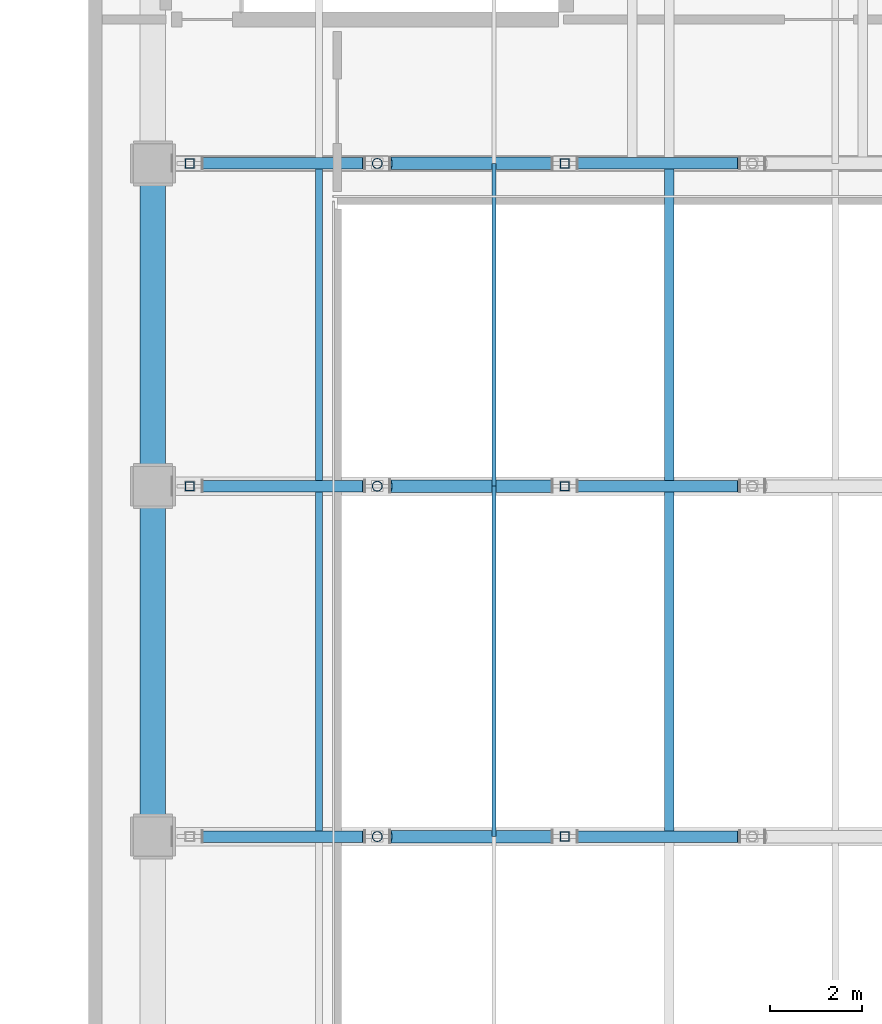
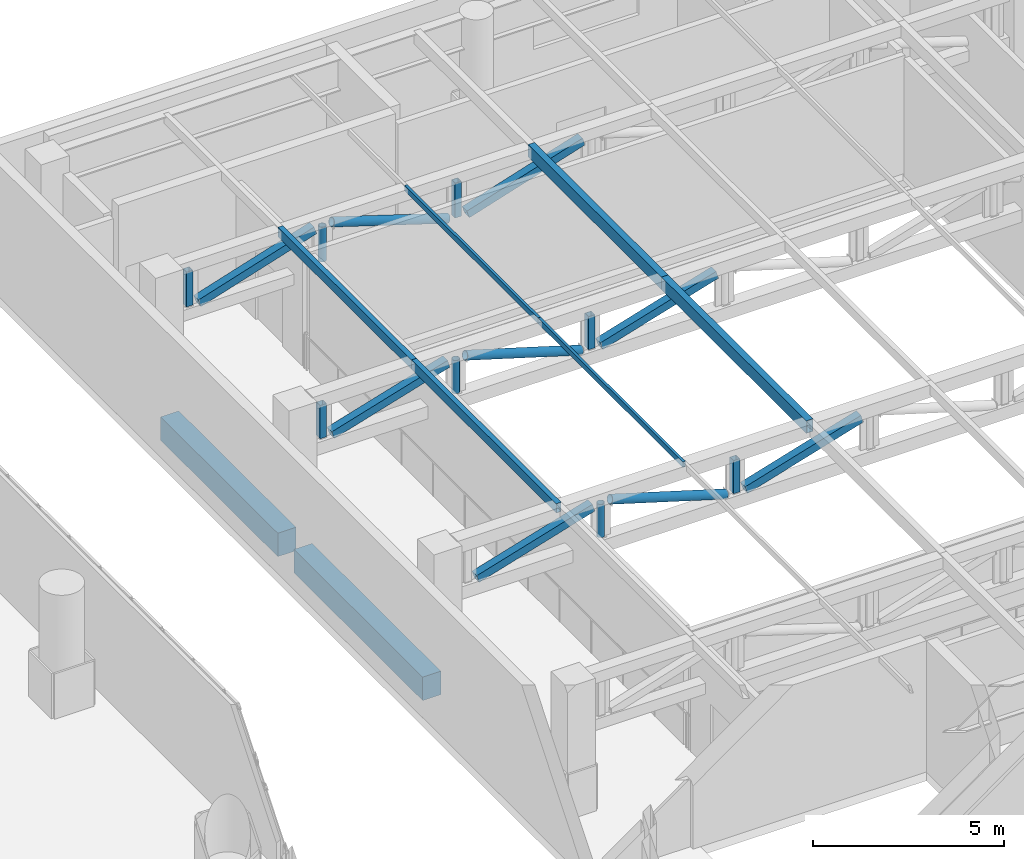
# One storey, part 7 of 25: 23 members, 2 beams.
"""IFC4 building model written with IfcOpenShell, lengths in metres."""

from ifc_helpers import new_model, si_unit, direction, frame, origin, origin_2d, place, context, subcontext, project, spatial, rectangle, hollow_rectangle, hollow_circle, extrude, material, material_profile, profile_set, type_object, element, save


model = new_model("IFC4")

# Units and contexts
model_context = context("Model", 3, precision=1e-05, world=origin(), true_north=direction((0.0, 1.0)))
body_context = subcontext(model_context, "Body", "Model", "MODEL_VIEW")
ifc_project = project(units=[si_unit("LENGTHUNIT", "METRE"), si_unit("AREAUNIT", "SQUARE_METRE"), si_unit("VOLUMEUNIT", "CUBIC_METRE"), si_unit("PLANEANGLEUNIT", "RADIAN"), si_unit("MASSUNIT", "GRAM", prefix="KILO")], contexts=[model_context])

# Site, building, storey
site_placement = place(None, origin())
site = spatial("IfcSite", under=ifc_project, at=site_placement, CompositionType="ELEMENT")
building_placement = place(site_placement, origin())
building = spatial("IfcBuilding", under=site, at=building_placement, Name="Solanera Arch Residences", CompositionType="ELEMENT")
storey_placement = place(building_placement, frame((0.0, 0.0, 17.800048828125)))
storey = spatial("IfcBuildingStorey", under=building, at=storey_placement, Name="L04", CompositionType="ELEMENT", Elevation=17.800048828125)

# Beams
ifc_material_1 = material(Name="Concrete C40/50 (f'c = 45 MPa)", Category="concrete")
ifc_material_profile_1 = material_profile(ifc_material_1, rectangle(XDim=0.550048828125, YDim=0.75, at=origin_2d()))
ifc_profile_set_1 = profile_set([ifc_material_profile_1], Name="Concrete C40/50 (f'c = 45 MPa)")
beam_type = type_object("IfcBeamType", Name="Primary Beam RC-BM-550X750", PredefinedType="BEAM", material=ifc_profile_set_1)
beam_1_placement = place(storey_placement, frame((55.800048828125, 27.22509765625, -0.655029296875), z_axis=(0.0, 1.0, 0.0), x_axis=(-1.0, 0.0, 0.0)))
element("IfcBeam", 1, at=beam_1_placement, inside=storey, type_object=beam_type, Name="BM-L04-HW-3", PredefinedType="BEAM", context=body_context, shape_type="SweptSolid", body=[
    extrude(rectangle(XDim=0.550048828125, YDim=0.75, at=origin_2d()), origin(), (0.0, 0.0, 1.0), 6.75),
])
beam_2_placement = place(storey_placement, frame((55.800048828125, 34.824951171875, -0.655029296875), z_axis=(0.0, 1.0, 0.0), x_axis=(-1.0, 0.0, 0.0)))
element("IfcBeam", 2, at=beam_2_placement, inside=storey, type_object=beam_type, Name="BM-L04-HW-4", PredefinedType="BEAM", context=body_context, shape_type="SweptSolid", body=[
    extrude(rectangle(XDim=0.550048828125, YDim=0.75, at=origin_2d()), origin(), (0.0, 0.0, 1.0), 6.150146484375),
])

# Members
ifc_material_2 = material(Name="Steel S355 (ASTM A992 / A572 Grade 50)", Category="steel")
ifc_material_profile_2 = material_profile(ifc_material_2, hollow_rectangle(XDim=0.080078125, YDim=0.179931640625, WallThickness=0.006103515625, at=origin_2d()))
ifc_profile_set_2 = profile_set([ifc_material_profile_2], Name="Steel S355 (ASTM A992 / A572 Grade 50)")
member_type_1 = type_object("IfcMemberType", Name="Roof Purlin HSS180X80X6", PredefinedType="PURLIN", material=ifc_profile_set_2)
member_1_placement = place(storey_placement, frame((63.199951171875, 26.800048828125, 4.10986328125), z_axis=(0.0, 1.0, 0.0), x_axis=(-1.0, 0.0, 0.0)))
element("IfcMember", 3, at=member_1_placement, inside=storey, type_object=member_type_1, Name="Sports Hall Roof Purlin 2.3", PredefinedType="PURLIN", context=body_context, shape_type="SweptSolid", body=[
    extrude(hollow_rectangle(XDim=0.080078125, YDim=0.179931640625, WallThickness=0.006103515625, at=origin_2d()), origin(), (0.0, 0.0, 1.0), 7.599853515625),
])
member_2_placement = place(storey_placement, frame((63.199951171875, 34.39990234375, 4.10986328125), z_axis=(0.0, 1.0, 0.0), x_axis=(-1.0, 0.0, 0.0)))
element("IfcMember", 4, at=member_2_placement, inside=storey, type_object=member_type_1, Name="Sports Hall Roof Purlin 2.4", PredefinedType="PURLIN", context=body_context, shape_type="SweptSolid", body=[
    extrude(hollow_rectangle(XDim=0.080078125, YDim=0.179931640625, WallThickness=0.006103515625, at=origin_2d()), origin(), (0.0, 0.0, 1.0), 7.0),
])
ifc_material_3 = material(Name="Steel S355 (ASTM A992 / A572 Grade 50)", Category="steel")
ifc_material_profile_3 = material_profile(ifc_material_3, hollow_rectangle(XDim=0.14990234375, YDim=0.300048828125, WallThickness=0.010009765625, at=origin_2d()))
ifc_profile_set_3 = profile_set([ifc_material_profile_3], Name="Steel S355 (ASTM A992 / A572 Grade 50)")
member_type_2 = type_object("IfcMemberType", Name="Roof Purlin HSS300X150X10", PredefinedType="PURLIN", material=ifc_profile_set_3)
member_3_placement = place(storey_placement, frame((59.39990234375, 26.800048828125, 4.050048828125), z_axis=(0.0, 1.0, 0.0), x_axis=(-1.0, 0.0, 0.0)))
element("IfcMember", 5, at=member_3_placement, inside=storey, type_object=member_type_2, Name="Sports Hall Roof Purlin 1.3", PredefinedType="PURLIN", context=body_context, shape_type="SweptSolid", body=[
    extrude(hollow_rectangle(XDim=0.14990234375, YDim=0.300048828125, WallThickness=0.010009765625, at=origin_2d()), origin(), (0.0, 0.0, 1.0), 7.599853515625),
])
member_4_placement = place(storey_placement, frame((59.39990234375, 34.39990234375, 4.050048828125), z_axis=(0.0, 1.0, 0.0), x_axis=(-1.0, 0.0, 0.0)))
element("IfcMember", 6, at=member_4_placement, inside=storey, type_object=member_type_2, Name="Sports Hall Roof Purlin 1.4", PredefinedType="PURLIN", context=body_context, shape_type="SweptSolid", body=[
    extrude(hollow_rectangle(XDim=0.14990234375, YDim=0.300048828125, WallThickness=0.010009765625, at=origin_2d()), origin(), (0.0, 0.0, 1.0), 7.0),
])
ifc_material_4 = material(Name="Steel S355 (ASTM A992 / A572 Grade 50)", Category="steel")
ifc_material_profile_4 = material_profile(ifc_material_4, hollow_rectangle(XDim=0.199951171875, YDim=0.39990234375, WallThickness=0.012451171875, at=origin_2d()))
ifc_profile_set_4 = profile_set([ifc_material_profile_4], Name="Steel S355 (ASTM A992 / A572 Grade 50)")
member_type_3 = type_object("IfcMemberType", Name="Roof Purlin HSS400X200X12.5", PredefinedType="PURLIN", material=ifc_profile_set_4)
member_5_placement = place(storey_placement, frame((67.0, 26.800048828125, 4.0), z_axis=(0.0, 1.0, 0.0), x_axis=(-1.0, 0.0, 0.0)))
element("IfcMember", 7, at=member_5_placement, inside=storey, type_object=member_type_3, Name="Sports Hall Roof Purlin 3.3", PredefinedType="PURLIN", context=body_context, shape_type="SweptSolid", body=[
    extrude(hollow_rectangle(XDim=0.199951171875, YDim=0.39990234375, WallThickness=0.012451171875, at=origin_2d()), origin(), (0.0, 0.0, 1.0), 7.599853515625),
])
member_6_placement = place(storey_placement, frame((67.0, 34.39990234375, 4.0), z_axis=(0.0, 1.0, 0.0), x_axis=(-1.0, 0.0, 0.0)))
element("IfcMember", 8, at=member_6_placement, inside=storey, type_object=member_type_3, Name="Sports Hall Roof Purlin 3.4", PredefinedType="PURLIN", context=body_context, shape_type="SweptSolid", body=[
    extrude(hollow_rectangle(XDim=0.199951171875, YDim=0.39990234375, WallThickness=0.012451171875, at=origin_2d()), origin(), (0.0, 0.0, 1.0), 7.0),
])
ifc_material_5 = material(Name="Steel S355 (ASTM A992 / A572 Grade 50)", Category="steel")
ifc_material_profile_5 = material_profile(ifc_material_5, hollow_circle(Radius=0.109619140625, WallThickness=0.008056640625, at=origin_2d()))
ifc_profile_set_5 = profile_set([ifc_material_profile_5], Name="Steel S355 (ASTM A992 / A572 Grade 50)")
member_type_4 = type_object("IfcMemberType", Name="Strut CHS219.1X8", PredefinedType="STRUT", material=ifc_profile_set_5)
for number, where, z_axis, x_axis, name in (
    (9, (60.6669921875, 26.800048828125, 2.719970703125), (0.0, 0.0, 1.0), (1.0, 0.0, 0.0), "Sports Hall Roof Truss 2 Vertical Post 1"),
    (10, (60.6669921875, 34.39990234375, 2.719970703125), (0.0, 0.0, 1.0), (1.0, 0.0, 0.0), "Sports Hall Roof Truss 3 Vertical Post 1"),
):
    element("IfcMember", number, at=place(storey_placement, frame(where, z_axis=z_axis, x_axis=x_axis)), inside=storey, type_object=member_type_4, Name=name, PredefinedType="STRUT", context=body_context, shape_type="SweptSolid", body=[
        extrude(hollow_circle(Radius=0.109619140625, WallThickness=0.008056640625, at=origin_2d()), origin(), (0.0, 0.0, 1.0), 1.06005859375),
    ])
member_7_placement = place(storey_placement, frame((60.6669921875, 41.39990234375, 2.695068359375), z_axis=(0.0, 0.0, 1.0), x_axis=(1.0, 0.0, 0.0)))
element("IfcMember", 11, at=member_7_placement, inside=storey, type_object=member_type_4, Name="Sports Hall Roof Truss 4 Vertical Post 1", PredefinedType="STRUT", context=body_context, shape_type="SweptSolid", body=[
    extrude(hollow_circle(Radius=0.109619140625, WallThickness=0.008056640625, at=origin_2d()), origin(), (0.0, 0.0, 1.0), 1.10986328125),
])
ifc_material_6 = material(Name="Steel S355 (ASTM A992 / A572 Grade 50)", Category="steel")
ifc_material_profile_6 = material_profile(ifc_material_6, hollow_circle(Radius=0.136474609375, WallThickness=0.010009765625, at=origin_2d()))
ifc_profile_set_6 = profile_set([ifc_material_profile_6], Name="Steel S355 (ASTM A992 / A572 Grade 50)")
member_type_5 = type_object("IfcMemberType", Name="Truss Diagonal CHS273X10", PredefinedType="BRACE", material=ifc_profile_set_6)
for number, where, z_axis, x_axis, name in (
    (12, (60.947021484375, 26.800048828125, 3.780029296875), (0.957200261967, 0.0, -0.289426430185), (0.0, 1.0, 0.0), "Sports Hall Roof Truss 2 Web Diagonal 2"),
    (13, (60.947021484375, 34.39990234375, 3.780029296875), (0.957200261967, 0.0, -0.289426430185), (0.0, 1.0, 0.0), "Sports Hall Roof Truss 3 Web Diagonal 2"),
):
    element("IfcMember", number, at=place(storey_placement, frame(where, z_axis=z_axis, x_axis=x_axis)), inside=storey, type_object=member_type_5, Name=name, PredefinedType="BRACE", context=body_context, shape_type="SweptSolid", body=[
        extrude(hollow_circle(Radius=0.136474609375, WallThickness=0.010009765625, at=origin_2d()), origin(), (0.0, 0.0, 1.0), 3.66259765625),
    ])
member_8_placement = place(storey_placement, frame((60.947021484375, 41.39990234375, 3.804931640625), z_axis=(0.953367698748, 0.0, -0.301811250592), x_axis=(0.0, 1.0, 0.0)))
element("IfcMember", 14, at=member_8_placement, inside=storey, type_object=member_type_5, Name="Sports Hall Roof Truss 4 Web Diagonal 2", PredefinedType="BRACE", context=body_context, shape_type="SweptSolid", body=[
    extrude(hollow_circle(Radius=0.136474609375, WallThickness=0.010009765625, at=origin_2d()), origin(), (0.0, 0.0, 1.0), 3.67724609375),
])
ifc_material_7 = material(Name="Steel S355 (ASTM A992 / A572 Grade 50)", Category="steel")
ifc_material_profile_7 = material_profile(ifc_material_7, hollow_rectangle(XDim=0.25, YDim=0.25, WallThickness=0.010009765625, at=origin_2d()))
ifc_profile_set_7 = profile_set([ifc_material_profile_7], Name="Steel S355 (ASTM A992 / A572 Grade 50)")
member_type_6 = type_object("IfcMemberType", Name="Truss Diagonal HSS250X250X10", PredefinedType="BRACE", material=ifc_profile_set_7)
for number, where, z_axis, x_axis, name in (
    (15, (56.8798828125, 26.800048828125, 2.719970703125), (0.957228167284, 0.0, 0.289334124772), (0.0, 1.0, 0.0), "Sports Hall Roof Truss 2 Web Diagonal 1"),
    (16, (65.012939453125, 26.800048828125, 2.719970703125), (0.957228167284, 0.0, 0.289334124772), (0.0, 1.0, 0.0), "Sports Hall Roof Truss 2 Web Diagonal 3"),
    (17, (56.8798828125, 34.39990234375, 2.719970703125), (0.957228167284, 0.0, 0.289334124772), (0.0, 1.0, 0.0), "Sports Hall Roof Truss 3 Web Diagonal 1"),
    (18, (65.012939453125, 34.39990234375, 2.719970703125), (0.957228167284, 0.0, 0.289334124772), (0.0, 1.0, 0.0), "Sports Hall Roof Truss 3 Web Diagonal 3"),
):
    element("IfcMember", number, at=place(storey_placement, frame(where, z_axis=z_axis, x_axis=x_axis)), inside=storey, type_object=member_type_6, Name=name, PredefinedType="BRACE", context=body_context, shape_type="SweptSolid", body=[
        extrude(hollow_rectangle(XDim=0.25, YDim=0.25, WallThickness=0.010009765625, at=origin_2d()), origin(), (0.0, 0.0, 1.0), 3.663818359375),
    ])
for number, where, z_axis, x_axis, name in (
    (19, (56.8798828125, 41.39990234375, 2.695068359375), (0.953397921967, 0.0, 0.301715764237), (0.0, 1.0, 0.0), "Sports Hall Roof Truss 4 Web Diagonal 1"),
    (20, (65.012939453125, 41.39990234375, 2.695068359375), (0.953397921967, 0.0, 0.301715764237), (0.0, 1.0, 0.0), "Sports Hall Roof Truss 4 Web Diagonal 3"),
):
    element("IfcMember", number, at=place(storey_placement, frame(where, z_axis=z_axis, x_axis=x_axis)), inside=storey, type_object=member_type_6, Name=name, PredefinedType="BRACE", context=body_context, shape_type="SweptSolid", body=[
        extrude(hollow_rectangle(XDim=0.25, YDim=0.25, WallThickness=0.010009765625, at=origin_2d()), origin(), (0.0, 0.0, 1.0), 3.678466796875),
    ])
ifc_material_8 = material(Name="Steel S355 (ASTM A992 / A572 Grade 50)", Category="steel")
ifc_material_profile_8 = material_profile(ifc_material_8, hollow_rectangle(XDim=0.199951171875, YDim=0.199951171875, WallThickness=0.010009765625, at=origin_2d()))
ifc_profile_set_8 = profile_set([ifc_material_profile_8], Name="Steel S355 (ASTM A992 / A572 Grade 50)")
member_type_7 = type_object("IfcMemberType", Name="Truss Post HSS200X200X10", PredefinedType="STRUT", material=ifc_profile_set_8)
for number, where, z_axis, x_axis, name in (
    (21, (64.73291015625, 26.800048828125, 2.719970703125), (0.0, 0.0, 1.0), (1.0, 0.0, 0.0), "Sports Hall Roof Truss 2 Vertical Post 2"),
    (22, (56.60009765625, 34.39990234375, 2.719970703125), (0.0, 0.0, 1.0), (1.0, 0.0, 0.0), "Sports Hall Roof Truss 3 Vertical Post 0"),
    (23, (64.73291015625, 34.39990234375, 2.719970703125), (0.0, 0.0, 1.0), (1.0, 0.0, 0.0), "Sports Hall Roof Truss 3 Vertical Post 2"),
):
    element("IfcMember", number, at=place(storey_placement, frame(where, z_axis=z_axis, x_axis=x_axis)), inside=storey, type_object=member_type_7, Name=name, PredefinedType="STRUT", context=body_context, shape_type="SweptSolid", body=[
        extrude(hollow_rectangle(XDim=0.199951171875, YDim=0.199951171875, WallThickness=0.010009765625, at=origin_2d()), origin(), (0.0, 0.0, 1.0), 1.06005859375),
    ])
for number, where, z_axis, x_axis, name in (
    (24, (56.60009765625, 41.39990234375, 2.695068359375), (0.0, 0.0, 1.0), (1.0, 0.0, 0.0), "Sports Hall Roof Truss 4 Vertical Post 0"),
    (25, (64.73291015625, 41.39990234375, 2.695068359375), (0.0, 0.0, 1.0), (1.0, 0.0, 0.0), "Sports Hall Roof Truss 4 Vertical Post 2"),
):
    element("IfcMember", number, at=place(storey_placement, frame(where, z_axis=z_axis, x_axis=x_axis)), inside=storey, type_object=member_type_7, Name=name, PredefinedType="STRUT", context=body_context, shape_type="SweptSolid", body=[
        extrude(hollow_rectangle(XDim=0.199951171875, YDim=0.199951171875, WallThickness=0.010009765625, at=origin_2d()), origin(), (0.0, 0.0, 1.0), 1.10986328125),
    ])

save(model, "model.ifc")
